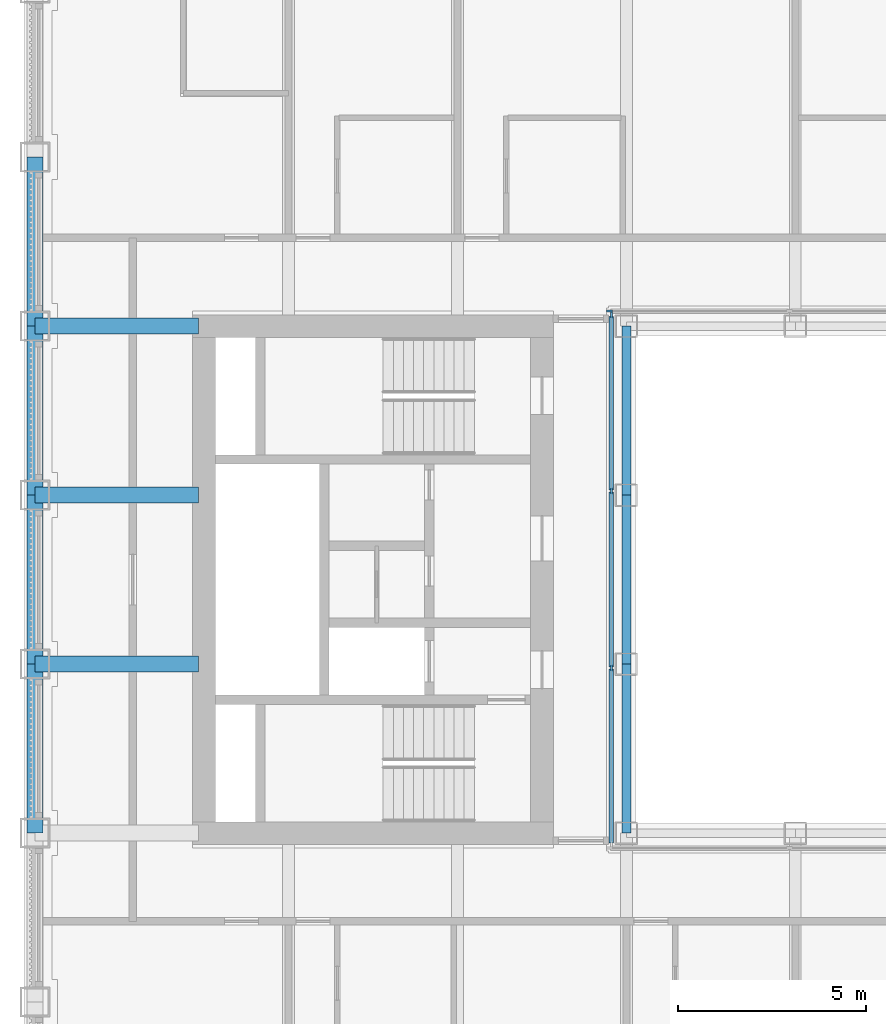
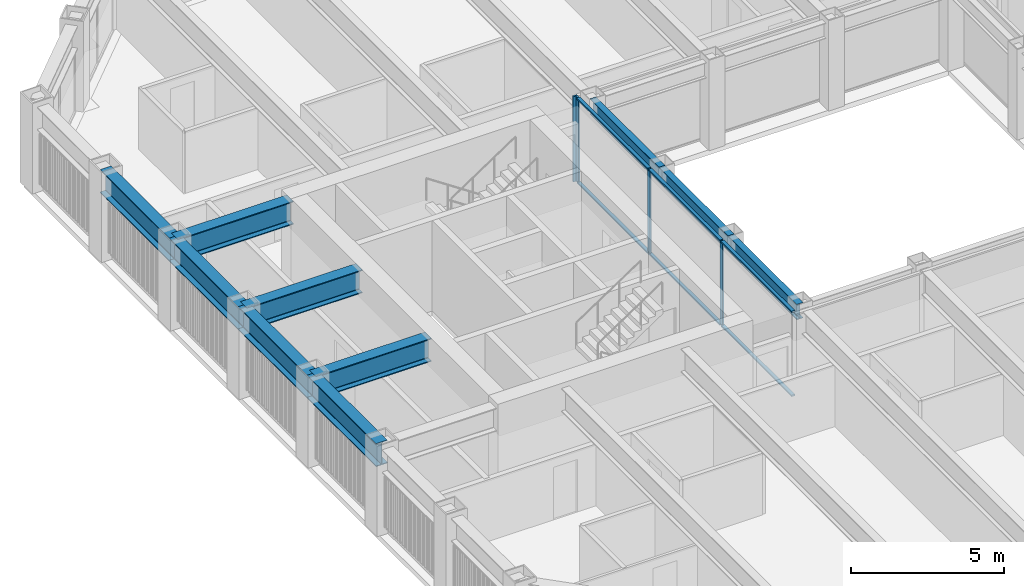
# One storey, part 4 of 17: 10 beams, 10 members, 2 elements without a shape of their own.
"""IFC4 building model written with IfcOpenShell, lengths in metres."""

import ifcopenshell
import ifcopenshell.guid

model = None  # the IFC model being written
_history = None  # IfcOwnerHistory: only IFC2X3 demands one
_inside = {}  # id of a spatial element -> (the spatial element, [elements in it])
_under = {}  # id of a project, library or spatial element -> (it, [spatial elements below it])
_declared = {}  # id of a project -> (the project, [libraries it declares])
_typed = {}  # id of a type object -> (the type object, [elements of that type])
_made_of = {}  # id of a material, layer set ... -> (it, [elements and type objects made of it])


def new_model(schema):
    """Start an empty IFC model of exactly this schema.

    Asked for "IFC4X3", IfcOpenShell would pick the latest addendum, in which some entities
    have other attributes; the version numbers below select the first issue.
    IFC2X3 requires an IfcOwnerHistory on every rooted entity: one is made here for all.
    """
    global model, _history
    if schema == "IFC4X3":
        model = ifcopenshell.file(schema_version=(4, 3, 0, 0))
    else:
        model = ifcopenshell.file(schema=schema)
    _inside.clear()
    _under.clear()
    _declared.clear()
    _typed.clear()
    _made_of.clear()
    _history = None
    if model.schema == "IFC2X3":
        org = make("IfcOrganization", Name="unknown")
        user = make(
            "IfcPersonAndOrganization",
            ThePerson=make("IfcPerson", FamilyName="unknown"),
            TheOrganization=org,
        )
        app = make(
            "IfcApplication",
            ApplicationDeveloper=org,
            Version="unknown",
            ApplicationFullName="unknown",
            ApplicationIdentifier="unknown",
        )
        _history = make(
            "IfcOwnerHistory",
            OwningUser=user,
            OwningApplication=app,
            ChangeAction="ADDED",
            CreationDate=0,
        )
    return model


def make(cls, **values):
    """One entity of the class cls with the attributes given. An attribute that is None is left unset."""
    return model.create_entity(
        cls, **{name: value for name, value in values.items() if value is not None}
    )


def rooted(cls, **values):
    """An entity with a GlobalId (a new one), such as an element, a storey or a relation."""
    return make(cls, GlobalId=ifcopenshell.guid.new(), OwnerHistory=_history, **values)


def si_unit(unit_type, name, prefix=None):
    """IfcSIUnit, for example si_unit("LENGTHUNIT", "METRE", prefix="MILLI")."""
    return make("IfcSIUnit", UnitType=unit_type, Prefix=prefix, Name=name)


def assignment(units):
    """IfcUnitAssignment: the units of a project."""
    return None if units is None else make("IfcUnitAssignment", Units=units)


def point(xyz):
    """IfcCartesianPoint."""
    return None if xyz is None else make("IfcCartesianPoint", Coordinates=xyz)


def direction(xyz):
    """IfcDirection."""
    return None if xyz is None else make("IfcDirection", DirectionRatios=xyz)


def frame(location, z_axis=None, x_axis=None):
    """IfcAxis2Placement3D, a coordinate frame: its origin and axes. An axis left out is left unset."""
    return make(
        "IfcAxis2Placement3D",
        Location=point(location),
        Axis=direction(z_axis),
        RefDirection=direction(x_axis),
    )


def frame_2d(location, x_axis=None):
    """IfcAxis2Placement2D, a coordinate frame in the plane: its origin and x axis."""
    return make(
        "IfcAxis2Placement2D", Location=point(location), RefDirection=direction(x_axis)
    )


def origin():
    """The frame at (0, 0, 0) with its axes left unset."""
    return frame((0.0, 0.0, 0.0))


def origin_2d():
    """The frame at (0, 0) in the plane with its x axis left unset."""
    return frame_2d((0.0, 0.0))


def place(relative_to, where):
    """IfcLocalPlacement: puts the frame where relative to a parent placement (None: the world)."""
    return make(
        "IfcLocalPlacement", PlacementRelTo=relative_to, RelativePlacement=where
    )


def context(
    kind, dimensions, precision=None, world=None, true_north=None, identifier=None
):
    """IfcGeometricRepresentationContext, for example the 3D "Model" context."""
    return make(
        "IfcGeometricRepresentationContext",
        ContextIdentifier=identifier,
        ContextType=kind,
        CoordinateSpaceDimension=dimensions,
        Precision=precision,
        WorldCoordinateSystem=world,
        TrueNorth=true_north,
    )


def subcontext(parent, identifier, kind, view, scale=None):
    """IfcGeometricRepresentationSubContext, for example "Body" below "Model"."""
    return make(
        "IfcGeometricRepresentationSubContext",
        ContextIdentifier=identifier,
        ContextType=kind,
        ParentContext=parent,
        TargetScale=scale,
        TargetView=view,
    )


def project(units=None, contexts=None):
    """IfcProject with its units and contexts."""
    return rooted(
        "IfcProject",
        Name="project",
        RepresentationContexts=contexts,
        UnitsInContext=assignment(units),
    )


def spatial(cls, under=None, at=None, **own):
    """A site, building, storey or space (cls), placed at a placement, below another one or the project."""
    s = rooted(cls, ObjectPlacement=at, **own)
    if under is not None:
        _under.setdefault(under.id(), (under, []))[1].append(s)
    return s


def profile(cls, at=None, kind="AREA", **sizes):
    """A parametric profile (cls). Its sizes go by their IFC names, for example OverallWidth=200.0."""
    return make(cls, ProfileType=kind, Position=at, **sizes)


def rectangle(**sizes):
    """IfcRectangleProfileDef."""
    return profile("IfcRectangleProfileDef", **sizes)


def i_section(**sizes):
    """IfcIShapeProfileDef."""
    return profile("IfcIShapeProfileDef", **sizes)


def extrude(swept, where, along, depth):
    """IfcExtrudedAreaSolid: the profile swept, set in the frame where, extruded along a direction by depth."""
    return make(
        "IfcExtrudedAreaSolid",
        SweptArea=swept,
        Position=where,
        ExtrudedDirection=direction(along),
        Depth=depth,
    )


def shape(context_of_items, identifier, shape_type, items):
    """IfcShapeRepresentation: the items that make up one representation, for example the "Body"."""
    return make(
        "IfcShapeRepresentation",
        ContextOfItems=context_of_items,
        RepresentationIdentifier=identifier,
        RepresentationType=shape_type,
        Items=items,
    )


def material(Name=None, Category=None):
    """IfcMaterial."""
    return make("IfcMaterial", Name=Name, Category=Category)


def material_profile(
    of_material, cross_section, Name=None, Category=None, Priority=None
):
    """IfcMaterialProfile: a cross section and its material."""
    return make(
        "IfcMaterialProfile",
        Name=Name,
        Material=of_material,
        Profile=cross_section,
        Priority=Priority,
        Category=Category,
    )


def profile_set(profiles, Name=None, composite=None):
    """IfcMaterialProfileSet."""
    return make(
        "IfcMaterialProfileSet",
        Name=Name,
        MaterialProfiles=profiles,
        CompositeProfile=composite,
    )


def made_of(thing, what):
    """Note that an element or type object is made of a material, layer set ...; save() writes the relation."""
    if what is not None:
        _made_of.setdefault(what.id(), (what, []))[1].append(thing)
    return thing


def type_object(cls, material=None, **own):
    """A type object (cls), such as IfcWallType, which elements share."""
    return made_of(rooted(cls, **own), material)


def element(
    cls,
    number,
    at=None,
    inside=None,
    cuts=None,
    type_object=None,
    material=None,
    context=None,
    identifier="Body",
    shape_type=None,
    held_by="IfcProductDefinitionShape",
    body=None,
    shapes=None,
    **own,
):
    """One element of the class cls, such as IfcWall. Its Tag is "e" and its number.

    at: its placement. inside: the storey or other place that contains it. cuts: it is an
    opening in that element (IfcRelVoidsElement). A single representation is given by context,
    identifier, shape_type and body (its items); several are given by shapes. held_by: the class
    of the entity that holds the representations. save() writes the other relations.
    """
    e = rooted(cls, Tag="e%d" % number, ObjectPlacement=at, **own)
    if body is not None:
        shapes = [shape(context, identifier, shape_type, body)]
    if shapes is not None:
        e.Representation = make(held_by, Representations=shapes)
    if inside is not None:
        _inside.setdefault(inside.id(), (inside, []))[1].append(e)
    if cuts is not None:
        rooted(
            "IfcRelVoidsElement", RelatingBuildingElement=cuts, RelatedOpeningElement=e
        )
    if type_object is not None:
        _typed.setdefault(type_object.id(), (type_object, []))[1].append(e)
    return made_of(e, material)


def aggregate(whole, parts):
    """IfcRelAggregates: a whole, such as a stair, and the parts it consists of."""
    return rooted("IfcRelAggregates", RelatingObject=whole, RelatedObjects=parts)


def save(model, path):
    """Write the relations noted so far, then the file.

    IfcRelAggregates (storeys below a building ...), IfcRelContainedInSpatialStructure (elements
    in a storey), IfcRelDefinesByType, IfcRelAssociatesMaterial and IfcRelDeclares: one each for
    every whole, place, type object, material and project.
    """
    for whole, parts in _under.values():
        aggregate(whole, parts)
    for where, things in _inside.values():
        rooted(
            "IfcRelContainedInSpatialStructure",
            RelatedElements=things,
            RelatingStructure=where,
        )
    for kind, things in _typed.values():
        rooted("IfcRelDefinesByType", RelatedObjects=things, RelatingType=kind)
    for what, things in _made_of.values():
        rooted("IfcRelAssociatesMaterial", RelatedObjects=things, RelatingMaterial=what)
    for by, libraries in _declared.values():
        rooted("IfcRelDeclares", RelatingContext=by, RelatedDefinitions=libraries)
    model.write(path)


model = new_model("IFC4")

# Units and contexts
model_context = context("Model", 3, precision=1e-05, world=origin(), true_north=direction((0.0, 1.0)))
body_context = subcontext(model_context, "Body", "Model", "MODEL_VIEW")
ifc_project = project(units=[si_unit("LENGTHUNIT", "METRE"), si_unit("AREAUNIT", "SQUARE_METRE"), si_unit("VOLUMEUNIT", "CUBIC_METRE"), si_unit("PLANEANGLEUNIT", "RADIAN"), si_unit("MASSUNIT", "GRAM", prefix="KILO")], contexts=[model_context])

# Site, building, storey
site_placement = place(None, origin())
site = spatial("IfcSite", under=ifc_project, at=site_placement, CompositionType="ELEMENT")
building_placement = place(site_placement, origin())
building = spatial("IfcBuilding", under=site, at=building_placement, Name="Msasa Ring Tower", CompositionType="ELEMENT")
storey_placement = place(building_placement, frame((0.0, 0.0, 158.0)))
storey = spatial("IfcBuildingStorey", under=building, at=storey_placement, Name="L41", CompositionType="ELEMENT", Elevation=158.0)

# Curtain wall, member
ifc_material_1 = material(Name="Aluminium curtain wall with clear glass", Category="aluminium")
curtain_wall_type = type_object("IfcCurtainWallType", Name="CW-W LIGHT WELL CURTAIN WALL", PredefinedType="NOTDEFINED", material=ifc_material_1)
curtain_wall_1_placement = place(storey_placement, origin())
curtain_wall_1 = element("IfcCurtainWall", 1, at=curtain_wall_1_placement, inside=storey, type_object=curtain_wall_type, Name="Light well curtain wall N L41", PredefinedType="NOTDEFINED")
ifc_material_2 = material(Name="Aluminium mullion", Category="aluminium")
ifc_material_profile_1 = material_profile(ifc_material_2, rectangle(XDim=0.06005859375, YDim=0.159912109375, at=origin_2d()), Name="AL 60x160")
ifc_profile_set_1 = profile_set([ifc_material_profile_1], Name="Aluminium mullion")
member_type_1 = type_object("IfcMemberType", Name="CW-W MULLION 60x160", PredefinedType="MULLION", material=ifc_profile_set_1)
member_1_placement = place(storey_placement, frame((-7.199951171875, 7.14990234375, 0.0), z_axis=(0.0, 0.0, 1.0), x_axis=(0.0, 1.0, 0.0)))
member_1 = element("IfcMember", 2, at=member_1_placement, type_object=member_type_1, Name="CW-W mullion 1", PredefinedType="MULLION", context=body_context, shape_type="SweptSolid", body=[
    extrude(rectangle(XDim=0.06005859375, YDim=0.159912109375, at=origin_2d()), origin(), (0.0, 0.0, 1.0), 3.39990234375),
])
aggregate(curtain_wall_1, [member_1])

# Curtain wall, members
curtain_wall_2_placement = place(storey_placement, origin())
curtain_wall_2 = element("IfcCurtainWall", 3, at=curtain_wall_2_placement, inside=storey, type_object=curtain_wall_type, Name="Light well curtain wall W L41", PredefinedType="NOTDEFINED")
member_2_placement = place(storey_placement, frame((-7.14990234375, -2.356689453125, 0.0), z_axis=(0.0, 0.0, 1.0), x_axis=(-1.0, 0.0, 0.0)))
member_2 = element("IfcMember", 4, at=member_2_placement, type_object=member_type_1, Name="CW-W mullion 2", PredefinedType="MULLION", context=body_context, shape_type="SweptSolid", body=[
    extrude(rectangle(XDim=0.06005859375, YDim=0.159912109375, at=origin_2d()), origin(), (0.0, 0.0, 1.0), 3.39990234375),
])
member_3_placement = place(storey_placement, frame((-7.14990234375, 2.356689453125, 0.0), z_axis=(0.0, 0.0, 1.0), x_axis=(-1.0, 0.0, 0.0)))
member_3 = element("IfcMember", 5, at=member_3_placement, type_object=member_type_1, Name="CW-W mullion 3", PredefinedType="MULLION", context=body_context, shape_type="SweptSolid", body=[
    extrude(rectangle(XDim=0.06005859375, YDim=0.159912109375, at=origin_2d()), origin(), (0.0, 0.0, 1.0), 3.39990234375),
])
member_4_placement = place(storey_placement, frame((-7.14990234375, 7.0400390625, 0.0), z_axis=(0.0, 0.0, 1.0), x_axis=(-1.0, 0.0, 0.0)))
member_4 = element("IfcMember", 6, at=member_4_placement, type_object=member_type_1, Name="CW-W mullion 4", PredefinedType="MULLION", context=body_context, shape_type="SweptSolid", body=[
    extrude(rectangle(XDim=0.06005859375, YDim=0.159912109375, at=origin_2d()), origin(), (0.0, 0.0, 1.0), 3.39990234375),
])
ifc_material_3 = material(Name="Aluminium transom", Category="aluminium")
ifc_material_profile_2 = material_profile(ifc_material_3, rectangle(XDim=0.1201171875, YDim=0.06005859375, at=origin_2d()), Name="AL 60x120")
ifc_profile_set_2 = profile_set([ifc_material_profile_2], Name="Aluminium transom")
member_type_2 = type_object("IfcMemberType", Name="CW-W TRANSOM 60x120", PredefinedType="USERDEFINED", material=ifc_profile_set_2)
member_5_placement = place(storey_placement, frame((-7.14990234375, -7.010009765625, 0.030029296875), z_axis=(0.0, 1.0, 0.0), x_axis=(-1.0, 0.0, 0.0)))
member_5 = element("IfcMember", 7, at=member_5_placement, type_object=member_type_2, Name="CW-W transom 1.1", ObjectType="TRANSOM", PredefinedType="USERDEFINED", context=body_context, shape_type="SweptSolid", body=[
    extrude(rectangle(XDim=0.1201171875, YDim=0.06005859375, at=origin_2d()), origin(), (0.0, 0.0, 1.0), 4.623291015625),
])
member_6_placement = place(storey_placement, frame((-7.14990234375, -7.010009765625, 3.3701171875), z_axis=(0.0, 1.0, 0.0), x_axis=(-1.0, 0.0, 0.0)))
member_6 = element("IfcMember", 8, at=member_6_placement, type_object=member_type_2, Name="CW-W transom 1.2", ObjectType="TRANSOM", PredefinedType="USERDEFINED", context=body_context, shape_type="SweptSolid", body=[
    extrude(rectangle(XDim=0.1201171875, YDim=0.06005859375, at=origin_2d()), origin(), (0.0, 0.0, 1.0), 4.623291015625),
])
member_7_placement = place(storey_placement, frame((-7.14990234375, -2.32666015625, 0.030029296875), z_axis=(0.0, 1.0, 0.0), x_axis=(-1.0, 0.0, 0.0)))
member_7 = element("IfcMember", 9, at=member_7_placement, type_object=member_type_2, Name="CW-W transom 2.1", ObjectType="TRANSOM", PredefinedType="USERDEFINED", context=body_context, shape_type="SweptSolid", body=[
    extrude(rectangle(XDim=0.1201171875, YDim=0.06005859375, at=origin_2d()), origin(), (0.0, 0.0, 1.0), 4.6533203125),
])
member_8_placement = place(storey_placement, frame((-7.14990234375, -2.32666015625, 3.3701171875), z_axis=(0.0, 1.0, 0.0), x_axis=(-1.0, 0.0, 0.0)))
member_8 = element("IfcMember", 10, at=member_8_placement, type_object=member_type_2, Name="CW-W transom 2.2", ObjectType="TRANSOM", PredefinedType="USERDEFINED", context=body_context, shape_type="SweptSolid", body=[
    extrude(rectangle(XDim=0.1201171875, YDim=0.06005859375, at=origin_2d()), origin(), (0.0, 0.0, 1.0), 4.6533203125),
])
member_9_placement = place(storey_placement, frame((-7.14990234375, 2.38671875, 0.030029296875), z_axis=(0.0, 1.0, 0.0), x_axis=(-1.0, 0.0, 0.0)))
member_9 = element("IfcMember", 11, at=member_9_placement, type_object=member_type_2, Name="CW-W transom 3.1", ObjectType="TRANSOM", PredefinedType="USERDEFINED", context=body_context, shape_type="SweptSolid", body=[
    extrude(rectangle(XDim=0.1201171875, YDim=0.06005859375, at=origin_2d()), origin(), (0.0, 0.0, 1.0), 4.623291015625),
])
member_10_placement = place(storey_placement, frame((-7.14990234375, 2.38671875, 3.3701171875), z_axis=(0.0, 1.0, 0.0), x_axis=(-1.0, 0.0, 0.0)))
member_10 = element("IfcMember", 12, at=member_10_placement, type_object=member_type_2, Name="CW-W transom 3.2", ObjectType="TRANSOM", PredefinedType="USERDEFINED", context=body_context, shape_type="SweptSolid", body=[
    extrude(rectangle(XDim=0.1201171875, YDim=0.06005859375, at=origin_2d()), origin(), (0.0, 0.0, 1.0), 4.623291015625),
])
aggregate(curtain_wall_2, [member_2, member_3, member_4, member_5, member_6, member_7, member_8, member_9, member_10])

# Beams
ifc_material_4 = material(Name="Steel S355", Category="steel")
ifc_material_profile_3 = material_profile(ifc_material_4, i_section(OverallWidth=0.42041015625, OverallDepth=0.9208984375, WebThickness=0.021484375, FlangeThickness=0.03662109375, FilletRadius=0.024169921875, at=origin_2d()), Name="UB 914x419x388")
ifc_profile_set_3 = profile_set([ifc_material_profile_3], Name="Steel S355")
beam_type_1 = type_object("IfcBeamType", Name="FB2 UB 914x419x388", PredefinedType="BEAM", material=ifc_profile_set_3)
for number, where, z_axis, x_axis, name in (
    (13, (-22.5, -2.25, 2.939453125), (1.0, 0.0, 0.0), (0.0, 1.0, 0.0), "Floor beam W -2.25 under L42"),
    (14, (-22.5, 2.25, 2.939453125), (1.0, 0.0, 0.0), (0.0, 1.0, 0.0), "Floor beam W +2.25 under L42"),
):
    element("IfcBeam", number, at=place(storey_placement, frame(where, z_axis=z_axis, x_axis=x_axis)), inside=storey, type_object=beam_type_1, Name=name, PredefinedType="BEAM", context=body_context, shape_type="SweptSolid", body=[
        extrude(i_section(OverallWidth=0.42041015625, OverallDepth=0.9208984375, WebThickness=0.021484375, FlangeThickness=0.03662109375, FilletRadius=0.024169921875, at=origin_2d()), origin(), (0.0, 0.0, 1.0), 4.35009765625),
    ])
ifc_material_5 = material(Name="Steel S355", Category="steel")
ifc_material_profile_4 = material_profile(ifc_material_5, i_section(OverallWidth=0.42041015625, OverallDepth=0.9208984375, WebThickness=0.021484375, FlangeThickness=0.03662109375, FilletRadius=0.024169921875, at=origin_2d()), Name="UB 914x419x388")
ifc_profile_set_4 = profile_set([ifc_material_profile_4], Name="Steel S355")
beam_type_2 = type_object("IfcBeamType", Name="GB1 UB 914x419x388", PredefinedType="BEAM", material=ifc_profile_set_4)
beam_placement = place(storey_placement, frame((-18.14990234375, 6.75, 2.939453125), z_axis=(-1.0, 0.0, 0.0), x_axis=(0.0, -1.0, 0.0)))
element("IfcBeam", 15, at=beam_placement, inside=storey, type_object=beam_type_2, Name="Girder W +6.75 under L42", PredefinedType="BEAM", context=body_context, shape_type="SweptSolid", body=[
    extrude(i_section(OverallWidth=0.42041015625, OverallDepth=0.9208984375, WebThickness=0.021484375, FlangeThickness=0.03662109375, FilletRadius=0.024169921875, at=origin_2d()), origin(), (0.0, 0.0, 1.0), 4.35009765625),
])
ifc_material_6 = material(Name="Steel S355", Category="steel")
ifc_material_profile_5 = material_profile(ifc_material_6, i_section(OverallWidth=0.230224609375, OverallDepth=0.6171875, WebThickness=0.01318359375, FlangeThickness=0.022216796875, FilletRadius=0.0126953125, at=origin_2d()), Name="UB 610x229x140")
ifc_profile_set_5 = profile_set([ifc_material_profile_5], Name="Steel S355")
beam_type_3 = type_object("IfcBeamType", Name="RB1 UB 610x229x140", PredefinedType="BEAM", material=ifc_profile_set_5)
for number, where, z_axis, x_axis, name in (
    (16, (-6.75, -2.25, 3.09130859375), (0.0, -1.0, 0.0), (1.0, 0.0, 0.0), "Inner ring beam IR-6.75-2.25 under L42"),
    (17, (-6.75, 6.75, 3.09130859375), (0.0, -1.0, 0.0), (1.0, 0.0, 0.0), "Inner ring beam IR-6.75+6.75 under L42"),
    (18, (-6.75, 2.25, 3.09130859375), (0.0, -1.0, 0.0), (1.0, 0.0, 0.0), "Inner ring beam IR-6.75+2.25 under L42"),
):
    element("IfcBeam", number, at=place(storey_placement, frame(where, z_axis=z_axis, x_axis=x_axis)), inside=storey, type_object=beam_type_3, Name=name, PredefinedType="BEAM", context=body_context, shape_type="SweptSolid", body=[
        extrude(i_section(OverallWidth=0.230224609375, OverallDepth=0.6171875, WebThickness=0.01318359375, FlangeThickness=0.022216796875, FilletRadius=0.0126953125, at=origin_2d()), origin(), (0.0, 0.0, 1.0), 4.5),
    ])
ifc_material_7 = material(Name="Steel S355", Category="steel")
ifc_material_profile_6 = material_profile(ifc_material_7, i_section(OverallWidth=0.42041015625, OverallDepth=0.9208984375, WebThickness=0.021484375, FlangeThickness=0.03662109375, FilletRadius=0.024169921875, at=origin_2d()), Name="UB 914x419x388")
ifc_profile_set_6 = profile_set([ifc_material_profile_6], Name="Steel S355")
beam_type_4 = type_object("IfcBeamType", Name="SB1 UB 914x419x388", PredefinedType="SPANDREL", material=ifc_profile_set_6)
for number, where, z_axis, x_axis, name in (
    (19, (-22.5, -2.25, 2.939453125), (0.0, -1.0, 0.0), (1.0, 0.0, 0.0), "Spandrel W-2.25 to W-6.75 under L42"),
    (20, (-22.5, 11.25, 2.939453125), (0.0, -1.0, 0.0), (1.0, 0.0, 0.0), "Spandrel W+11.25 to W+6.75 under L42"),
    (21, (-22.5, 6.75, 2.939453125), (0.0, -1.0, 0.0), (1.0, 0.0, 0.0), "Spandrel W+6.75 to W+2.25 under L42"),
    (22, (-22.5, 2.25, 2.939453125), (0.0, -1.0, 0.0), (1.0, 0.0, 0.0), "Spandrel W+2.25 to W-2.25 under L42"),
):
    element("IfcBeam", number, at=place(storey_placement, frame(where, z_axis=z_axis, x_axis=x_axis)), inside=storey, type_object=beam_type_4, Name=name, PredefinedType="SPANDREL", context=body_context, shape_type="SweptSolid", body=[
        extrude(i_section(OverallWidth=0.42041015625, OverallDepth=0.9208984375, WebThickness=0.021484375, FlangeThickness=0.03662109375, FilletRadius=0.024169921875, at=origin_2d()), origin(), (0.0, 0.0, 1.0), 4.5),
    ])

save(model, "model.ifc")
